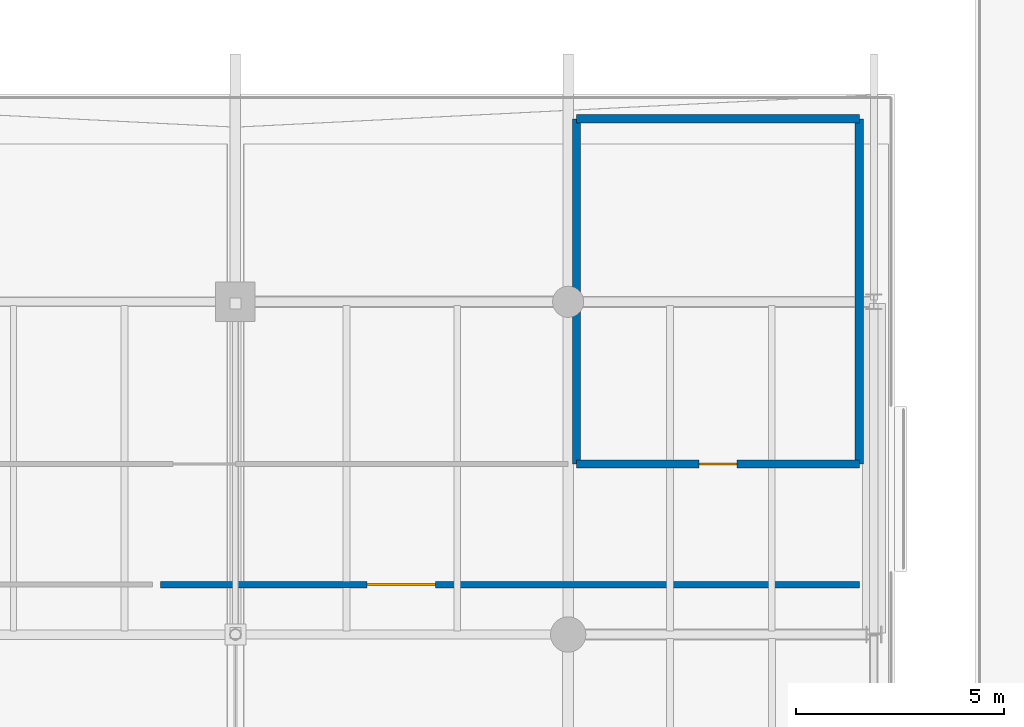
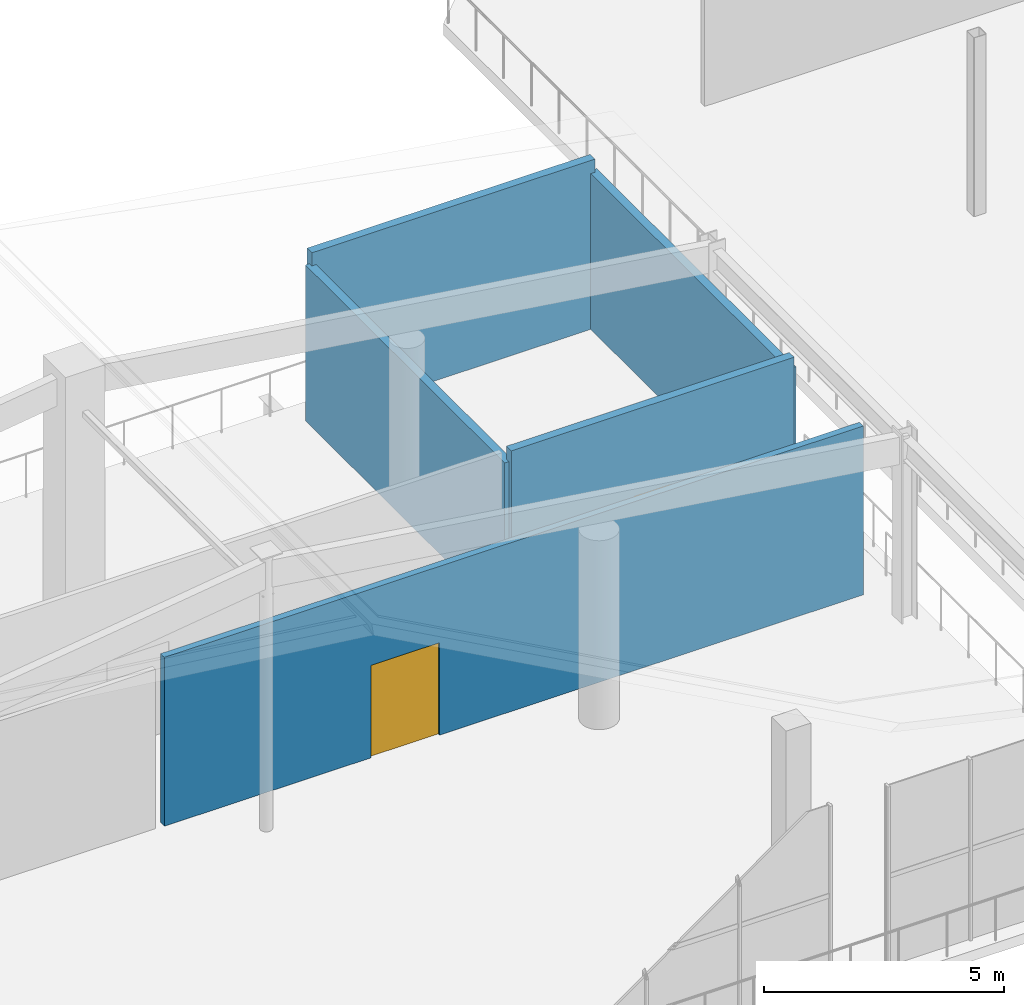
# One storey, part 49 of 70: 5 walls, 2 doors, 2 openings.
"""IFC4 building model written with IfcOpenShell, lengths in metres."""

from ifc_helpers import new_model, si_unit, direction, frame, frame_2d, origin, place, context, subcontext, project, spatial, rectangle, extrude, material, layer, layer_set, type_object, element, fill, save


model = new_model("IFC4")

# Units and contexts
model_context = context("Model", 3, precision=1e-05, world=origin(), true_north=direction((0.0, 1.0)))
body_context = subcontext(model_context, "Body", "Model", "MODEL_VIEW")
ifc_project = project(units=[si_unit("LENGTHUNIT", "METRE"), si_unit("AREAUNIT", "SQUARE_METRE"), si_unit("VOLUMEUNIT", "CUBIC_METRE"), si_unit("PLANEANGLEUNIT", "RADIAN"), si_unit("MASSUNIT", "GRAM", prefix="KILO")], contexts=[model_context])

# Site, building, storey
site_placement = place(None, origin())
site = spatial("IfcSite", under=ifc_project, at=site_placement, CompositionType="ELEMENT")
building_placement = place(site_placement, origin())
building = spatial("IfcBuilding", under=site, at=building_placement, Name="Brisemont Oceanarium", CompositionType="ELEMENT")
storey_placement = place(building_placement, frame((0.0, 0.0, 10.199951171875)))
storey = spatial("IfcBuildingStorey", under=building, at=storey_placement, Name="L02", CompositionType="ELEMENT", Elevation=10.199951171875)

# Wall, opening, door
ifc_material_1 = material(Name="Moisture-Resistant Gypsum Steel-Stud Partition", Category="steel")
ifc_layer_1 = layer(ifc_material_1, 0.159912109375)
ifc_layer_set_1 = layer_set([ifc_layer_1], Name="Moisture-Resistant Gypsum Steel-Stud Partition")
wall_type_1 = type_object("IfcWallType", Name="IW-FB-160", PredefinedType="PARTITIONING", material=ifc_layer_set_1)
wall_1_placement = place(storey_placement, frame((38.199951171875, 53.199951171875, 0.0), z_axis=(0.0, 0.0, 1.0), x_axis=(1.0, 0.0, 0.0)))
wall_1 = element("IfcWall", 1, at=wall_1_placement, inside=storey, type_object=wall_type_1, Name="Deep Sea Cephalopod Exhibit Gallery corridor partition", PredefinedType="PARTITIONING", context=body_context, shape_type="SweptSolid", body=[
    extrude(rectangle(XDim=16.800048828125, YDim=0.159912109375, at=frame_2d((8.39990234375, 0.0))), origin(), (0.0, 0.0, 1.0), 4.2900390625),
])
opening_1_placement = place(wall_1_placement, frame((4.963134765625, 0.0, 0.0)))
opening_1 = element("IfcOpeningElement", 2, at=opening_1_placement, cuts=wall_1, Name="Opening GD-02", PredefinedType="OPENING", context=body_context, shape_type="SweptSolid", body=[
    extrude(rectangle(XDim=1.64990234375, YDim=2.35009765625, at=frame_2d((0.824951171875, 1.175048828125))), frame((0.0, 0.08984375, 0.0), z_axis=(0.0, -1.0, 0.0), x_axis=(1.0, 0.0, 0.0)), (0.0, 0.0, 1.0), 0.179931640625),
])
ifc_material_2 = material(Name="Patinated Architectural Bronze C38500")
door_type_1 = type_object("IfcDoorType", Name="DR-GAL-1650X2350", OperationType="NOTDEFINED", PredefinedType="DOOR", material=ifc_material_2)
door_1_placement = place(opening_1_placement, origin())
door_1 = element("IfcDoor", 3, at=door_1_placement, inside=storey, type_object=door_type_1, Name="GD-02 door to Deep Sea Cephalopod Exhibit Gallery", OperationType="SINGLE_SWING_RIGHT", OverallHeight=2.35009765625, OverallWidth=1.64990234375, PredefinedType="DOOR", context=body_context, shape_type="SweptSolid", body=[
    extrude(rectangle(XDim=1.64990234375, YDim=2.35009765625, at=frame_2d((0.824951171875, 1.175048828125))), frame((0.0, 0.02490234375, 0.0), z_axis=(0.0, -1.0, 0.0), x_axis=(1.0, 0.0, 0.0)), (0.0, 0.0, 1.0), 0.050048828125),
])
fill(opening_1, door_1)

ifc_material_3 = material(Name="Cementitious Tile-Backer Plumbing Wall")
ifc_layer_2 = layer(ifc_material_3, 0.199951171875)
ifc_layer_set_2 = layer_set([ifc_layer_2], Name="Cementitious Tile-Backer Plumbing Wall")
wall_type_2 = type_object("IfcWallType", Name="IW-PLUMB-200", PredefinedType="PLUMBINGWALL", material=ifc_layer_set_2)
wall_2_placement = place(storey_placement, frame((48.199951171875, 56.10009765625, 0.0), z_axis=(0.0, 0.0, 1.0), x_axis=(1.0, 0.0, 0.0)))
wall_2 = element("IfcWall", 4, at=wall_2_placement, inside=storey, type_object=wall_type_2, Name="Public Restroom corridor partition", PredefinedType="PLUMBINGWALL", context=body_context, shape_type="SweptSolid", body=[
    extrude(rectangle(XDim=6.800048828125, YDim=0.199951171875, at=frame_2d((3.39990234375, 0.0))), origin(), (0.0, 0.0, 1.0), 4.2900390625),
])
opening_2_placement = place(wall_2_placement, frame((2.945068359375, 0.0, 0.0)))
opening_2 = element("IfcOpeningElement", 5, at=opening_2_placement, cuts=wall_2, Name="Opening D-03", PredefinedType="OPENING", context=body_context, shape_type="SweptSolid", body=[
    extrude(rectangle(XDim=0.909912109375, YDim=2.10009765625, at=frame_2d((0.455078125, 1.050048828125))), frame((0.0, 0.10986328125, 0.0), z_axis=(0.0, -1.0, 0.0), x_axis=(1.0, 0.0, 0.0)), (0.0, 0.0, 1.0), 0.219970703125),
])
ifc_material_4 = material(Name="FSC White Oak Solid-Core Fire Door")
door_type_2 = type_object("IfcDoorType", Name="DR-WC-910X2100", OperationType="NOTDEFINED", PredefinedType="DOOR", material=ifc_material_4)
door_2_placement = place(opening_2_placement, origin())
door_2 = element("IfcDoor", 6, at=door_2_placement, inside=storey, type_object=door_type_2, Name="D-03 door to Public Restroom", OperationType="SINGLE_SWING_RIGHT", OverallHeight=2.10009765625, OverallWidth=0.909912109375, PredefinedType="DOOR", context=body_context, shape_type="SweptSolid", body=[
    extrude(rectangle(XDim=0.909912109375, YDim=2.10009765625, at=frame_2d((0.455078125, 1.050048828125))), frame((0.0, 0.02490234375, 0.0), z_axis=(0.0, -1.0, 0.0), x_axis=(1.0, 0.0, 0.0)), (0.0, 0.0, 1.0), 0.050048828125),
])
fill(opening_2, door_2)

# Walls
wall_3_placement = place(storey_placement, frame((48.199951171875, 64.39990234375, 0.0), z_axis=(0.0, 0.0, 1.0), x_axis=(1.0, 0.0, 0.0)))
element("IfcWall", 7, at=wall_3_placement, inside=storey, type_object=wall_type_2, Name="Public Restroom enclosure wall N", PredefinedType="PLUMBINGWALL", context=body_context, shape_type="SweptSolid", body=[
    extrude(rectangle(XDim=6.800048828125, YDim=0.199951171875, at=frame_2d((3.39990234375, 0.0))), origin(), (0.0, 0.0, 1.0), 4.2900390625),
])
for number, where, z_axis, x_axis, name in (
    (8, (48.199951171875, 56.10009765625, 0.0), (0.0, 0.0, 1.0), (0.0, 1.0, 0.0), "Public Restroom enclosure wall W"),
    (9, (55.0, 56.10009765625, 0.0), (0.0, 0.0, 1.0), (0.0, 1.0, 0.0), "Public Restroom enclosure wall E"),
):
    element("IfcWall", number, at=place(storey_placement, frame(where, z_axis=z_axis, x_axis=x_axis)), inside=storey, type_object=wall_type_2, Name=name, PredefinedType="PLUMBINGWALL", context=body_context, shape_type="SweptSolid", body=[
        extrude(rectangle(XDim=8.2998046875, YDim=0.199951171875, at=frame_2d((4.14990234375, 0.0))), origin(), (0.0, 0.0, 1.0), 3.95703125),
    ])

save(model, "model.ifc")
